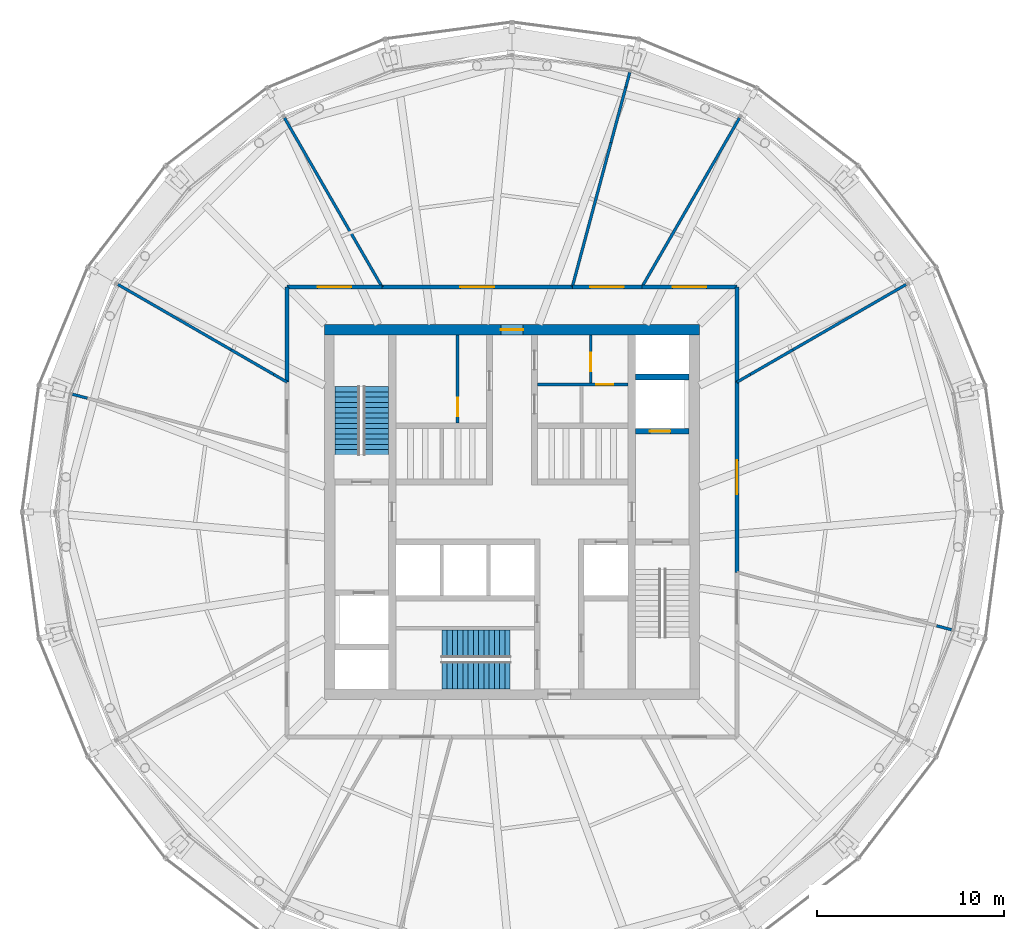
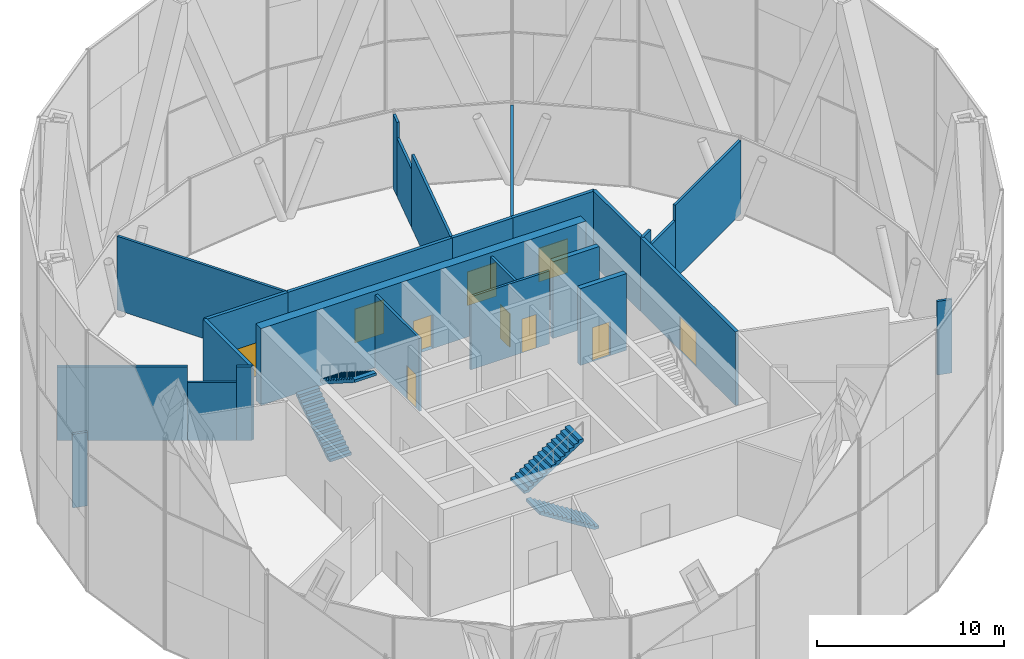
# One storey, part 15 of 17: 26 walls, 10 doors, 4 stair flights, 10 openings, 2 elements without a shape of their own.
"""IFC4 building model written with IfcOpenShell, lengths in metres."""

from ifc_helpers import new_model, si_unit, direction, frame, frame_2d, origin, place, context, subcontext, project, spatial, polyline, rectangle, outline, extrude, material, layer, layer_set, type_object, element, fill, aggregate, save


model = new_model("IFC4")

# Units and contexts
model_context = context("Model", 3, precision=1e-05, world=origin(), true_north=direction((0.0, 1.0)))
body_context = subcontext(model_context, "Body", "Model", "MODEL_VIEW")
ifc_project = project(units=[si_unit("LENGTHUNIT", "METRE"), si_unit("AREAUNIT", "SQUARE_METRE"), si_unit("VOLUMEUNIT", "CUBIC_METRE"), si_unit("PLANEANGLEUNIT", "RADIAN"), si_unit("MASSUNIT", "GRAM", prefix="KILO")], contexts=[model_context])

# Site, building, storey
site_placement = place(None, origin())
site = spatial("IfcSite", under=ifc_project, at=site_placement, CompositionType="ELEMENT")
building_placement = place(site_placement, origin())
building = spatial("IfcBuilding", under=site, at=building_placement, Name="Golbaran Civic Tower", CompositionType="ELEMENT")
storey_placement = place(building_placement, frame((0.0, 0.0, 150.0)))
storey = spatial("IfcBuildingStorey", under=building, at=storey_placement, Name="L36", CompositionType="ELEMENT", Elevation=150.0)

# Wall, opening, door
ifc_material_1 = material(Name="Concrete block", Category="concrete")
ifc_layer_1 = layer(ifc_material_1, 0.14990234375, Name="Concrete block")
ifc_layer_set_1 = layer_set([ifc_layer_1], Name="Concrete block")
wall_type_1 = type_object("IfcWallType", Name="BLOCKWORK PARTITION 150", PredefinedType="PARTITIONING", material=ifc_layer_set_1)
wall_1_placement = place(storey_placement, frame((1.35009765625, 6.800048828125, 0.0), z_axis=(0.0, 0.0, 1.0), x_axis=(1.0, 0.0, 0.0)))
wall_1 = element("IfcWall", 1, at=wall_1_placement, inside=storey, type_object=wall_type_1, Name="Toilet block partition TN1 L36", PredefinedType="PARTITIONING", context=body_context, shape_type="SweptSolid", body=[
    extrude(rectangle(XDim=4.849853515625, YDim=0.14990234375, at=frame_2d((2.4248046875, 0.0))), origin(), (0.0, 0.0, 1.0), 4.75),
])
opening_1_placement = place(wall_1_placement, frame((3.14990234375, 0.0, 0.0)))
opening_1 = element("IfcOpeningElement", 2, at=opening_1_placement, cuts=wall_1, Name="Opening L36.CLN", PredefinedType="OPENING", context=body_context, shape_type="SweptSolid", body=[
    extrude(rectangle(XDim=0.89990234375, YDim=2.199951171875, at=frame_2d((0.449951171875, 1.10009765625))), frame((0.0, 0.0849609375, 0.0), z_axis=(0.0, -1.0, 0.0), x_axis=(1.0, 0.0, 0.0)), (0.0, 0.0, 1.0), 0.169921875),
])
ifc_material_2 = material(Name="Timber door set in steel frame", Category="steel")
door_type_1 = type_object("IfcDoorType", Name="RISER DOOR 900x2200", OperationType="SINGLE_SWING_LEFT", PredefinedType="DOOR", material=ifc_material_2)
door_1_placement = place(opening_1_placement, origin())
door_1 = element("IfcDoor", 3, at=door_1_placement, inside=storey, type_object=door_type_1, Name="Sanitary Supplies Store door", OperationType="SINGLE_SWING_RIGHT", OverallHeight=2.199951171875, OverallWidth=0.89990234375, PredefinedType="DOOR", context=body_context, shape_type="SweptSolid", body=[
    extrude(rectangle(XDim=0.89990234375, YDim=2.199951171875, at=frame_2d((0.449951171875, 1.10009765625))), frame((0.0, 0.02490234375, 0.0), z_axis=(0.0, -1.0, 0.0), x_axis=(1.0, 0.0, 0.0)), (0.0, 0.0, 1.0), 0.050048828125),
])
fill(opening_1, door_1)

ifc_material_3 = material(Name="Concrete C50/60", Category="concrete")
ifc_layer_2 = layer(ifc_material_3, 0.550048828125, Name="Concrete C50/60")
ifc_layer_set_2 = layer_set([ifc_layer_2], Name="Concrete C50/60")
wall_type_2 = type_object("IfcWallType", Name="CORE WALL CONCRETE 550", PredefinedType="SOLIDWALL", material=ifc_layer_set_2)
wall_2_placement = place(storey_placement, frame((-10.0, 9.72509765625, 0.0), z_axis=(0.0, 0.0, 1.0), x_axis=(1.0, 0.0, 0.0)))
wall_2 = element("IfcWall", 4, at=wall_2_placement, inside=storey, type_object=wall_type_2, Name="Core wall CN L36", PredefinedType="SOLIDWALL", context=body_context, shape_type="SweptSolid", body=[
    extrude(rectangle(XDim=20.0, YDim=0.550048828125, at=frame_2d((10.0, 0.0))), origin(), (0.0, 0.0, 1.0), 5.0),
])
opening_2_placement = place(wall_2_placement, frame((9.39990234375, 0.0, 0.0)))
opening_2 = element("IfcOpeningElement", 5, at=opening_2_placement, cuts=wall_2, Name="Opening L36.CN", PredefinedType="OPENING", context=body_context, shape_type="SweptSolid", body=[
    extrude(rectangle(XDim=1.199951171875, YDim=2.199951171875, at=frame_2d((0.60009765625, 1.10009765625))), frame((0.0, 0.284912109375, 0.0), z_axis=(0.0, -1.0, 0.0), x_axis=(1.0, 0.0, 0.0)), (0.0, 0.0, 1.0), 0.570068359375),
])
door_type_2 = type_object("IfcDoorType", Name="CORE DOOR 1200x2200", OperationType="DOUBLE_DOOR_SINGLE_SWING", PredefinedType="DOOR", material=ifc_material_2)
door_2_placement = place(opening_2_placement, origin())
door_2 = element("IfcDoor", 6, at=door_2_placement, inside=storey, type_object=door_type_2, Name="Core door north", OperationType="DOUBLE_DOOR_SINGLE_SWING", OverallHeight=2.199951171875, OverallWidth=1.199951171875, PredefinedType="DOOR", context=body_context, shape_type="SweptSolid", body=[
    extrude(rectangle(XDim=1.199951171875, YDim=2.199951171875, at=frame_2d((0.60009765625, 1.10009765625))), frame((0.0, 0.02490234375, 0.0), z_axis=(0.0, -1.0, 0.0), x_axis=(1.0, 0.0, 0.0)), (0.0, 0.0, 1.0), 0.050048828125),
])
fill(opening_2, door_2)

ifc_material_4 = material(Name="Gypsum board on steel studs, fire-rated", Category="steel")
ifc_layer_3 = layer(ifc_material_4, 0.199951171875, Name="Gypsum board on steel studs, fire-rated")
ifc_layer_set_3 = layer_set([ifc_layer_3], Name="Gypsum board on steel studs, fire-rated")
wall_type_3 = type_object("IfcWallType", Name="CORRIDOR WALL 200", PredefinedType="PARTITIONING", material=ifc_layer_set_3)
wall_3_placement = place(storey_placement, frame((12.0, -3.21533203125, 0.0), z_axis=(0.0, 0.0, 1.0), x_axis=(0.0, 1.0, 0.0)))
wall_3 = element("IfcWall", 7, at=wall_3_placement, inside=storey, type_object=wall_type_3, Name="Corridor wall L36", PredefinedType="PARTITIONING", context=body_context, shape_type="SweptSolid", body=[
    extrude(rectangle(XDim=10.1435546875, YDim=0.199951171875, at=frame_2d((5.07177734375, 0.0))), origin(), (0.0, 0.0, 1.0), 4.800048828125),
])
opening_3_placement = place(wall_3_placement, frame((4.171875, 0.0, 0.0)))
opening_3 = element("IfcOpeningElement", 8, at=opening_3_placement, cuts=wall_3, Name="Opening L36.03", PredefinedType="OPENING", context=body_context, shape_type="SweptSolid", body=[
    extrude(rectangle(XDim=1.800048828125, YDim=2.199951171875, at=frame_2d((0.89990234375, 1.10009765625))), frame((0.0, 0.10986328125, 0.0), z_axis=(0.0, -1.0, 0.0), x_axis=(1.0, 0.0, 0.0)), (0.0, 0.0, 1.0), 0.219970703125),
])
door_type_3 = type_object("IfcDoorType", Name="OFFICE DOUBLE DOOR 1800x2200", OperationType="DOUBLE_DOOR_SINGLE_SWING", PredefinedType="DOOR", material=ifc_material_2)
door_3_placement = place(opening_3_placement, origin())
door_3 = element("IfcDoor", 9, at=door_3_placement, inside=storey, type_object=door_type_3, Name="Air Handling Plant Room door L36", OperationType="DOUBLE_DOOR_SINGLE_SWING", OverallHeight=2.199951171875, OverallWidth=1.800048828125, PredefinedType="DOOR", context=body_context, shape_type="SweptSolid", body=[
    extrude(rectangle(XDim=1.800048828125, YDim=2.199951171875, at=frame_2d((0.89990234375, 1.10009765625))), frame((0.0, 0.02490234375, 0.0), z_axis=(0.0, -1.0, 0.0), x_axis=(1.0, 0.0, 0.0)), (0.0, 0.0, 1.0), 0.050048828125),
])
fill(opening_3, door_3)

# Wall
wall_4_placement = place(storey_placement, frame((12.0, 6.92822265625, 0.0), z_axis=(0.0, 0.0, 1.0), x_axis=(0.0, 1.0, 0.0)))
element("IfcWall", 10, at=wall_4_placement, inside=storey, type_object=wall_type_3, Name="Corridor wall L36", PredefinedType="PARTITIONING", context=body_context, shape_type="SweptSolid", body=[
    extrude(rectangle(XDim=5.07177734375, YDim=0.199951171875, at=frame_2d((2.535888671875, 0.0))), origin(), (0.0, 0.0, 1.0), 4.800048828125),
])

# Wall, opening, door
wall_5_placement = place(storey_placement, frame((12.0, 12.0, 0.0), z_axis=(0.0, 0.0, 1.0), x_axis=(-1.0, 0.0, 0.0)))
wall_5 = element("IfcWall", 11, at=wall_5_placement, inside=storey, type_object=wall_type_3, Name="Corridor wall L36", PredefinedType="PARTITIONING", context=body_context, shape_type="SweptSolid", body=[
    extrude(rectangle(XDim=5.07177734375, YDim=0.199951171875, at=frame_2d((2.535888671875, 0.0))), origin(), (0.0, 0.0, 1.0), 4.800048828125),
])
opening_4_placement = place(wall_5_placement, frame((1.635986328125, 0.0, 0.0)))
opening_4 = element("IfcOpeningElement", 12, at=opening_4_placement, cuts=wall_5, Name="Opening L36.04", PredefinedType="OPENING", context=body_context, shape_type="SweptSolid", body=[
    extrude(rectangle(XDim=1.800048828125, YDim=2.199951171875, at=frame_2d((0.89990234375, 1.10009765625))), frame((0.0, 0.10986328125, 0.0), z_axis=(0.0, -1.0, 0.0), x_axis=(1.0, 0.0, 0.0)), (0.0, 0.0, 1.0), 0.219970703125),
])
door_4_placement = place(opening_4_placement, origin())
door_4 = element("IfcDoor", 13, at=door_4_placement, inside=storey, type_object=door_type_3, Name="Water Tank Room door L36", OperationType="DOUBLE_DOOR_SINGLE_SWING", OverallHeight=2.199951171875, OverallWidth=1.800048828125, PredefinedType="DOOR", context=body_context, shape_type="SweptSolid", body=[
    extrude(rectangle(XDim=1.800048828125, YDim=2.199951171875, at=frame_2d((0.89990234375, 1.10009765625))), frame((0.0, 0.02490234375, 0.0), z_axis=(0.0, -1.0, 0.0), x_axis=(1.0, 0.0, 0.0)), (0.0, 0.0, 1.0), 0.050048828125),
])
fill(opening_4, door_4)

wall_6_placement = place(storey_placement, frame((6.92822265625, 12.0, 0.0), z_axis=(0.0, 0.0, 1.0), x_axis=(-1.0, 0.0, 0.0)))
wall_6 = element("IfcWall", 14, at=wall_6_placement, inside=storey, type_object=wall_type_3, Name="Corridor wall L36", PredefinedType="PARTITIONING", context=body_context, shape_type="SweptSolid", body=[
    extrude(rectangle(XDim=3.712890625, YDim=0.199951171875, at=frame_2d((1.8564453125, 0.0))), origin(), (0.0, 0.0, 1.0), 4.800048828125),
])
opening_5_placement = place(wall_6_placement, frame((0.956298828125, 0.0, 0.0)))
opening_5 = element("IfcOpeningElement", 15, at=opening_5_placement, cuts=wall_6, Name="Opening L36.05", PredefinedType="OPENING", context=body_context, shape_type="SweptSolid", body=[
    extrude(rectangle(XDim=1.800048828125, YDim=2.199951171875, at=frame_2d((0.89990234375, 1.10009765625))), frame((0.0, 0.10986328125, 0.0), z_axis=(0.0, -1.0, 0.0), x_axis=(1.0, 0.0, 0.0)), (0.0, 0.0, 1.0), 0.219970703125),
])
door_5_placement = place(opening_5_placement, origin())
door_5 = element("IfcDoor", 16, at=door_5_placement, inside=storey, type_object=door_type_3, Name="Chiller Plant Room door L36", OperationType="DOUBLE_DOOR_SINGLE_SWING", OverallHeight=2.199951171875, OverallWidth=1.800048828125, PredefinedType="DOOR", context=body_context, shape_type="SweptSolid", body=[
    extrude(rectangle(XDim=1.800048828125, YDim=2.199951171875, at=frame_2d((0.89990234375, 1.10009765625))), frame((0.0, 0.02490234375, 0.0), z_axis=(0.0, -1.0, 0.0), x_axis=(1.0, 0.0, 0.0)), (0.0, 0.0, 1.0), 0.050048828125),
])
fill(opening_5, door_5)

wall_7_placement = place(storey_placement, frame((3.21533203125, 12.0, 0.0), z_axis=(0.0, 0.0, 1.0), x_axis=(-1.0, 0.0, 0.0)))
wall_7 = element("IfcWall", 17, at=wall_7_placement, inside=storey, type_object=wall_type_3, Name="Corridor wall L36", PredefinedType="PARTITIONING", context=body_context, shape_type="SweptSolid", body=[
    extrude(rectangle(XDim=10.1435546875, YDim=0.199951171875, at=frame_2d((5.07177734375, 0.0))), origin(), (0.0, 0.0, 1.0), 4.800048828125),
])
opening_6_placement = place(wall_7_placement, frame((4.171875, 0.0, 0.0)))
opening_6 = element("IfcOpeningElement", 18, at=opening_6_placement, cuts=wall_7, Name="Opening L36.06", PredefinedType="OPENING", context=body_context, shape_type="SweptSolid", body=[
    extrude(rectangle(XDim=1.800048828125, YDim=2.199951171875, at=frame_2d((0.89990234375, 1.10009765625))), frame((0.0, 0.10986328125, 0.0), z_axis=(0.0, -1.0, 0.0), x_axis=(1.0, 0.0, 0.0)), (0.0, 0.0, 1.0), 0.219970703125),
])
door_6_placement = place(opening_6_placement, origin())
door_6 = element("IfcDoor", 19, at=door_6_placement, inside=storey, type_object=door_type_3, Name="Refuge Area door L36", OperationType="DOUBLE_DOOR_SINGLE_SWING", OverallHeight=2.199951171875, OverallWidth=1.800048828125, PredefinedType="DOOR", context=body_context, shape_type="SweptSolid", body=[
    extrude(rectangle(XDim=1.800048828125, YDim=2.199951171875, at=frame_2d((0.89990234375, 1.10009765625))), frame((0.0, 0.02490234375, 0.0), z_axis=(0.0, -1.0, 0.0), x_axis=(1.0, 0.0, 0.0)), (0.0, 0.0, 1.0), 0.050048828125),
])
fill(opening_6, door_6)

wall_8_placement = place(storey_placement, frame((-6.92822265625, 12.0, 0.0), z_axis=(0.0, 0.0, 1.0), x_axis=(-1.0, 0.0, 0.0)))
wall_8 = element("IfcWall", 20, at=wall_8_placement, inside=storey, type_object=wall_type_3, Name="Corridor wall L36", PredefinedType="PARTITIONING", context=body_context, shape_type="SweptSolid", body=[
    extrude(rectangle(XDim=5.07177734375, YDim=0.199951171875, at=frame_2d((2.535888671875, 0.0))), origin(), (0.0, 0.0, 1.0), 4.800048828125),
])
opening_7_placement = place(wall_8_placement, frame((1.635986328125, 0.0, 0.0)))
opening_7 = element("IfcOpeningElement", 21, at=opening_7_placement, cuts=wall_8, Name="Opening L36.07", PredefinedType="OPENING", context=body_context, shape_type="SweptSolid", body=[
    extrude(rectangle(XDim=1.800048828125, YDim=2.199951171875, at=frame_2d((0.89990234375, 1.10009765625))), frame((0.0, 0.10986328125, 0.0), z_axis=(0.0, -1.0, 0.0), x_axis=(1.0, 0.0, 0.0)), (0.0, 0.0, 1.0), 0.219970703125),
])
door_7_placement = place(opening_7_placement, origin())
door_7 = element("IfcDoor", 22, at=door_7_placement, inside=storey, type_object=door_type_3, Name="Pump Room door L36", OperationType="DOUBLE_DOOR_SINGLE_SWING", OverallHeight=2.199951171875, OverallWidth=1.800048828125, PredefinedType="DOOR", context=body_context, shape_type="SweptSolid", body=[
    extrude(rectangle(XDim=1.800048828125, YDim=2.199951171875, at=frame_2d((0.89990234375, 1.10009765625))), frame((0.0, 0.02490234375, 0.0), z_axis=(0.0, -1.0, 0.0), x_axis=(1.0, 0.0, 0.0)), (0.0, 0.0, 1.0), 0.050048828125),
])
fill(opening_7, door_7)

# Walls
wall_9_placement = place(storey_placement, frame((-12.0, 12.0, 0.0), z_axis=(0.0, 0.0, 1.0), x_axis=(0.0, -1.0, 0.0)))
element("IfcWall", 23, at=wall_9_placement, inside=storey, type_object=wall_type_3, Name="Corridor wall L36", PredefinedType="PARTITIONING", context=body_context, shape_type="SweptSolid", body=[
    extrude(rectangle(XDim=5.07177734375, YDim=0.199951171875, at=frame_2d((2.535888671875, 0.0))), origin(), (0.0, 0.0, 1.0), 4.800048828125),
])
ifc_material_5 = material(Name="Gypsum board on steel studs", Category="steel")
ifc_layer_4 = layer(ifc_material_5, 0.14990234375, Name="Gypsum board on steel studs")
ifc_layer_set_4 = layer_set([ifc_layer_4], Name="Gypsum board on steel studs")
wall_type_4 = type_object("IfcWallType", Name="OFFICE PARTITION 150", PredefinedType="PARTITIONING", material=ifc_layer_set_4)
wall_10_placement = place(storey_placement, frame((22.65380859375, -6.070068359375, 0.0), z_axis=(0.0, 0.0, 1.0), x_axis=(0.96592035307, -0.258839470569, 0.0)))
element("IfcWall", 24, at=wall_10_placement, inside=storey, type_object=wall_type_4, Name="Partition 345 L36 (part 3)", PredefinedType="PARTITIONING", context=body_context, shape_type="SweptSolid", body=[
    extrude(rectangle(XDim=0.826171875, YDim=0.14990234375, at=frame_2d((0.4130859375, 0.0))), origin(), (0.0, 0.0, 1.0), 4.800048828125),
])
wall_11_placement = place(storey_placement, frame((12.0, 6.92822265625, 0.0), z_axis=(0.0, 0.0, 1.0), x_axis=(0.86608282171, 0.499900536046, 0.0)))
element("IfcWall", 25, at=wall_11_placement, inside=storey, type_object=wall_type_4, Name="Partition 30 L36", PredefinedType="PARTITIONING", context=body_context, shape_type="SweptSolid", body=[
    extrude(rectangle(XDim=0.830810546875, YDim=0.14990234375, at=frame_2d((0.41552734375, 0.0))), origin(), (0.0, 0.0, 1.0), 4.800048828125),
])
wall_12_placement = place(storey_placement, frame((12.719482421875, 7.343505859375, 0.0), z_axis=(0.0, 0.0, 1.0), x_axis=(0.866002361659, 0.500039908008, 0.0)))
element("IfcWall", 26, at=wall_12_placement, inside=storey, type_object=wall_type_4, Name="Partition 30 L36 (part 2)", PredefinedType="PARTITIONING", context=body_context, shape_type="SweptSolid", body=[
    extrude(rectangle(XDim=2.618408203125, YDim=0.14990234375, at=frame_2d((1.30908203125, 0.0))), origin(), (0.0, 0.0, 1.0), 3.7900390625),
])
wall_13_placement = place(storey_placement, frame((14.987060546875, 8.65283203125, 0.0), z_axis=(0.0, 0.0, 1.0), x_axis=(0.86602409414, 0.500002268364, 0.0)))
element("IfcWall", 27, at=wall_13_placement, inside=storey, type_object=wall_type_4, Name="Partition 30 L36 (part 3)", PredefinedType="PARTITIONING", context=body_context, shape_type="SweptSolid", body=[
    extrude(rectangle(XDim=6.9736328125, YDim=0.14990234375, at=frame_2d((3.48681640625, 0.0))), origin(), (0.0, 0.0, 1.0), 4.800048828125),
])
wall_14_placement = place(storey_placement, frame((6.92822265625, 12.0, 0.0), z_axis=(0.0, 0.0, 1.0), x_axis=(0.500003616288, 0.866023315909, 0.0)))
element("IfcWall", 28, at=wall_14_placement, inside=storey, type_object=wall_type_4, Name="Partition 60 L36", PredefinedType="PARTITIONING", context=body_context, shape_type="SweptSolid", body=[
    extrude(rectangle(XDim=10.4228515625, YDim=0.14990234375, at=frame_2d((5.21142578125, 0.0))), origin(), (0.0, 0.0, 1.0), 4.800048828125),
])
wall_15_placement = place(storey_placement, frame((3.21533203125, 12.0, 0.0), z_axis=(0.0, 0.0, 1.0), x_axis=(0.258826894995, 0.965923722882, 0.0)))
element("IfcWall", 29, at=wall_15_placement, inside=storey, type_object=wall_type_4, Name="Partition 75 L36", PredefinedType="PARTITIONING", context=body_context, shape_type="SweptSolid", body=[
    extrude(rectangle(XDim=7.973388671875, YDim=0.14990234375, at=frame_2d((3.98681640625, 0.0))), origin(), (0.0, 0.0, 1.0), 4.800048828125),
])
wall_16_placement = place(storey_placement, frame((5.279052734375, 19.70166015625, 0.0), z_axis=(0.0, 0.0, 1.0), x_axis=(0.258819472716, 0.96592571171, 0.0)))
element("IfcWall", 30, at=wall_16_placement, inside=storey, type_object=wall_type_4, Name="Partition 75 L36 (part 2)", PredefinedType="PARTITIONING", context=body_context, shape_type="SweptSolid", body=[
    extrude(rectangle(XDim=3.0732421875, YDim=0.14990234375, at=frame_2d((1.53662109375, 0.0))), origin(), (0.0, 0.0, 1.0), 3.7900390625),
])
wall_17_placement = place(storey_placement, frame((6.074462890625, 22.670166015625, 0.0), z_axis=(0.0, 0.0, 1.0), x_axis=(0.258826555959, 0.96592381373, 0.0)))
element("IfcWall", 31, at=wall_17_placement, inside=storey, type_object=wall_type_4, Name="Partition 75 L36 (part 3)", PredefinedType="PARTITIONING", context=body_context, shape_type="SweptSolid", body=[
    extrude(rectangle(XDim=0.809326171875, YDim=0.14990234375, at=frame_2d((0.40478515625, 0.0))), origin(), (0.0, 0.0, 1.0), 4.800048828125),
])
wall_18_placement = place(storey_placement, frame((-6.92822265625, 12.0, 0.0), z_axis=(0.0, 0.0, 1.0), x_axis=(-0.500003616288, 0.866023315909, 0.0)))
element("IfcWall", 32, at=wall_18_placement, inside=storey, type_object=wall_type_4, Name="Partition 120 L36", PredefinedType="PARTITIONING", context=body_context, shape_type="SweptSolid", body=[
    extrude(rectangle(XDim=10.4228515625, YDim=0.14990234375, at=frame_2d((5.21142578125, 0.0))), origin(), (0.0, 0.0, 1.0), 4.800048828125),
])
wall_19_placement = place(storey_placement, frame((-12.0, 6.92822265625, 0.0), z_axis=(0.0, 0.0, 1.0), x_axis=(-0.86608282171, 0.499900536046, 0.0)))
element("IfcWall", 33, at=wall_19_placement, inside=storey, type_object=wall_type_4, Name="Partition 150 L36", PredefinedType="PARTITIONING", context=body_context, shape_type="SweptSolid", body=[
    extrude(rectangle(XDim=0.830810546875, YDim=0.14990234375, at=frame_2d((0.41552734375, 0.0))), origin(), (0.0, 0.0, 1.0), 4.800048828125),
])
wall_20_placement = place(storey_placement, frame((-12.719482421875, 7.343505859375, 0.0), z_axis=(0.0, 0.0, 1.0), x_axis=(-0.866002361659, 0.500039908008, 0.0)))
element("IfcWall", 34, at=wall_20_placement, inside=storey, type_object=wall_type_4, Name="Partition 150 L36 (part 2)", PredefinedType="PARTITIONING", context=body_context, shape_type="SweptSolid", body=[
    extrude(rectangle(XDim=2.618408203125, YDim=0.14990234375, at=frame_2d((1.30908203125, 0.0))), origin(), (0.0, 0.0, 1.0), 3.7900390625),
])
wall_21_placement = place(storey_placement, frame((-14.987060546875, 8.65283203125, 0.0), z_axis=(0.0, 0.0, 1.0), x_axis=(-0.86602409414, 0.500002268364, 0.0)))
element("IfcWall", 35, at=wall_21_placement, inside=storey, type_object=wall_type_4, Name="Partition 150 L36 (part 3)", PredefinedType="PARTITIONING", context=body_context, shape_type="SweptSolid", body=[
    extrude(rectangle(XDim=6.9736328125, YDim=0.14990234375, at=frame_2d((3.48681640625, 0.0))), origin(), (0.0, 0.0, 1.0), 4.800048828125),
])
wall_22_placement = place(storey_placement, frame((-22.65380859375, 6.070068359375, 0.0), z_axis=(0.0, 0.0, 1.0), x_axis=(-0.96592035307, 0.258839470569, 0.0)))
element("IfcWall", 36, at=wall_22_placement, inside=storey, type_object=wall_type_4, Name="Partition 165 L36 (part 3)", PredefinedType="PARTITIONING", context=body_context, shape_type="SweptSolid", body=[
    extrude(rectangle(XDim=0.826171875, YDim=0.14990234375, at=frame_2d((0.4130859375, 0.0))), origin(), (0.0, 0.0, 1.0), 4.800048828125),
])

# Wall, opening, door
ifc_layer_5 = layer(ifc_material_3, 0.300048828125, Name="Concrete C50/60")
ifc_layer_set_5 = layer_set([ifc_layer_5], Name="Concrete C50/60")
wall_type_5 = type_object("IfcWallType", Name="SHAFT WALL CONCRETE 300", PredefinedType="SOLIDWALL", material=ifc_layer_set_5)
wall_23_placement = place(storey_placement, frame((6.60009765625, 4.300048828125, 0.0), z_axis=(0.0, 0.0, 1.0), x_axis=(1.0, 0.0, 0.0)))
wall_23 = element("IfcWall", 37, at=wall_23_placement, inside=storey, type_object=wall_type_5, Name="Core wall XE2 L36", PredefinedType="SOLIDWALL", context=body_context, shape_type="SweptSolid", body=[
    extrude(rectangle(XDim=2.849853515625, YDim=0.300048828125, at=frame_2d((1.4248046875, 0.0))), origin(), (0.0, 0.0, 1.0), 5.0),
])
opening_8_placement = place(wall_23_placement, frame((0.75, 0.0, 0.0)))
opening_8 = element("IfcOpeningElement", 38, at=opening_8_placement, cuts=wall_23, Name="Opening L36.LD-F2", PredefinedType="OPENING", context=body_context, shape_type="SweptSolid", body=[
    extrude(rectangle(XDim=1.10009765625, YDim=2.199951171875, at=frame_2d((0.550048828125, 1.10009765625))), frame((0.0, 0.159912109375, 0.0), z_axis=(0.0, -1.0, 0.0), x_axis=(1.0, 0.0, 0.0)), (0.0, 0.0, 1.0), 0.320068359375),
])
ifc_material_6 = material(Name="Stainless steel", Category="steel")
door_type_4 = type_object("IfcDoorType", Name="LIFT LANDING DOOR 1100x2200", OperationType="SLIDING_TO_LEFT", PredefinedType="DOOR", material=ifc_material_6)
door_8_placement = place(opening_8_placement, origin())
door_8 = element("IfcDoor", 39, at=door_8_placement, inside=storey, type_object=door_type_4, Name="Lift landing door F2", OperationType="SLIDING_TO_LEFT", OverallHeight=2.199951171875, OverallWidth=1.10009765625, PredefinedType="DOOR", context=body_context, shape_type="SweptSolid", body=[
    extrude(rectangle(XDim=1.10009765625, YDim=2.199951171875, at=frame_2d((0.550048828125, 1.10009765625))), frame((0.0, 0.02490234375, 0.0), z_axis=(0.0, -1.0, 0.0), x_axis=(1.0, 0.0, 0.0)), (0.0, 0.0, 1.0), 0.050048828125),
])
fill(opening_8, door_8)

# Wall
wall_24_placement = place(storey_placement, frame((6.60009765625, 7.199951171875, 0.0), z_axis=(0.0, 0.0, 1.0), x_axis=(1.0, 0.0, 0.0)))
element("IfcWall", 40, at=wall_24_placement, inside=storey, type_object=wall_type_5, Name="Core wall XE3 L36", PredefinedType="SOLIDWALL", context=body_context, shape_type="SweptSolid", body=[
    extrude(rectangle(XDim=2.849853515625, YDim=0.300048828125, at=frame_2d((1.4248046875, 0.0))), origin(), (0.0, 0.0, 1.0), 5.0),
])

# Wall, opening, door
ifc_material_7 = material(Name="Moisture-resistant gypsum board on steel studs", Category="steel")
ifc_layer_6 = layer(ifc_material_7, 0.14990234375, Name="Moisture-resistant gypsum board on steel studs")
ifc_layer_set_6 = layer_set([ifc_layer_6], Name="Moisture-resistant gypsum board on steel studs")
wall_type_6 = type_object("IfcWallType", Name="TOILET BLOCK PARTITION 150", PredefinedType="PARTITIONING", material=ifc_layer_set_6)
wall_25_placement = place(storey_placement, frame((4.199951171875, 6.875, 0.0), z_axis=(0.0, 0.0, 1.0), x_axis=(0.0, 1.0, 0.0)))
wall_25 = element("IfcWall", 41, at=wall_25_placement, inside=storey, type_object=wall_type_6, Name="Toilet block partition TN3 L36", PredefinedType="PARTITIONING", context=body_context, shape_type="SweptSolid", body=[
    extrude(rectangle(XDim=2.574951171875, YDim=0.14990234375, at=frame_2d((1.28759765625, 0.0))), origin(), (0.0, 0.0, 1.0), 4.75),
])
opening_9_placement = place(wall_25_placement, frame((0.625, 0.0, 0.0)))
opening_9 = element("IfcOpeningElement", 42, at=opening_9_placement, cuts=wall_25, Name="Opening L36.01", PredefinedType="OPENING", context=body_context, shape_type="SweptSolid", body=[
    extrude(rectangle(XDim=1.0, YDim=2.199951171875, at=frame_2d((0.5, 1.10009765625))), frame((0.0, 0.0849609375, 0.0), z_axis=(0.0, -1.0, 0.0), x_axis=(1.0, 0.0, 0.0)), (0.0, 0.0, 1.0), 0.169921875),
])
door_type_5 = type_object("IfcDoorType", Name="TOILET DOOR 1000x2200", OperationType="SINGLE_SWING_LEFT", PredefinedType="DOOR", material=ifc_material_2)
door_9_placement = place(opening_9_placement, origin())
door_9 = element("IfcDoor", 43, at=door_9_placement, inside=storey, type_object=door_type_5, Name="Parents' room door", OperationType="SINGLE_SWING_LEFT", OverallHeight=2.199951171875, OverallWidth=1.0, PredefinedType="DOOR", context=body_context, shape_type="SweptSolid", body=[
    extrude(rectangle(XDim=1.0, YDim=2.199951171875, at=frame_2d((0.5, 1.10009765625))), frame((0.0, 0.02490234375, 0.0), z_axis=(0.0, -1.0, 0.0), x_axis=(1.0, 0.0, 0.0)), (0.0, 0.0, 1.0), 0.050048828125),
])
fill(opening_9, door_9)

wall_26_placement = place(storey_placement, frame((-2.89990234375, 4.75, 0.0), z_axis=(0.0, 0.0, 1.0), x_axis=(0.0, 1.0, 0.0)))
wall_26 = element("IfcWall", 44, at=wall_26_placement, inside=storey, type_object=wall_type_6, Name="Toilet block partition MWL L36", PredefinedType="PARTITIONING", context=body_context, shape_type="SweptSolid", body=[
    extrude(rectangle(XDim=4.699951171875, YDim=0.14990234375, at=frame_2d((2.35009765625, 0.0))), origin(), (0.0, 0.0, 1.0), 4.75),
])
opening_10_placement = place(wall_26_placement, frame((0.35009765625, 0.0, 0.0)))
opening_10 = element("IfcOpeningElement", 45, at=opening_10_placement, cuts=wall_26, Name="Opening L36.14", PredefinedType="OPENING", context=body_context, shape_type="SweptSolid", body=[
    extrude(rectangle(XDim=1.0, YDim=2.199951171875, at=frame_2d((0.5, 1.10009765625))), frame((0.0, 0.0849609375, 0.0), z_axis=(0.0, -1.0, 0.0), x_axis=(1.0, 0.0, 0.0)), (0.0, 0.0, 1.0), 0.169921875),
])
door_10_placement = place(opening_10_placement, origin())
door_10 = element("IfcDoor", 46, at=door_10_placement, inside=storey, type_object=door_type_5, Name="Male WC door", OperationType="SINGLE_SWING_LEFT", OverallHeight=2.199951171875, OverallWidth=1.0, PredefinedType="DOOR", context=body_context, shape_type="SweptSolid", body=[
    extrude(rectangle(XDim=1.0, YDim=2.199951171875, at=frame_2d((0.5, 1.10009765625))), frame((0.0, 0.02490234375, 0.0), z_axis=(0.0, -1.0, 0.0), x_axis=(1.0, 0.0, 0.0)), (0.0, 0.0, 1.0), 0.050048828125),
])
fill(opening_10, door_10)

# Stair, stair flights
ifc_material_8 = material(Name="Concrete C35/45", Category="concrete")
stair_type_1 = type_object("IfcStairType", Name="EXIT STAIR 2850 x 7700, 5000 RISE", PredefinedType="HALF_TURN_STAIR", material=ifc_material_8)
stair_1_placement = place(storey_placement, origin())
stair_1 = element("IfcStair", 47, at=stair_1_placement, inside=storey, type_object=stair_type_1, Name="Stair S1 L36", PredefinedType="HALF_TURN_STAIR")
stair_flight_type_1 = type_object("IfcStairFlightType", Name="STAIR FLIGHT 1325 WIDE", PredefinedType="STRAIGHT", material=ifc_material_8)
stair_flight_1_placement = place(storey_placement, frame((-8.78759765625, 3.050048828125, 0.0), z_axis=(0.0, 0.0, 1.0), x_axis=(0.0, 1.0, 0.0)))
stair_flight_1 = element("IfcStairFlight", 48, at=stair_flight_1_placement, type_object=stair_flight_type_1, Name="ST28577-50 flight 1", NumberOfRisers=14, NumberOfTreads=13, PredefinedType="STRAIGHT", RiserHeight=0.178571429, TreadLength=0.28, context=body_context, shape_type="SweptSolid", body=[
    extrude(outline(polyline([(0.0, 0.0), (0.0, 0.178466796875), (0.280029296875, 0.178466796875), (0.280029296875, 0.357177734375), (0.56005859375, 0.357177734375), (0.56005859375, 0.53564453125), (0.840087890625, 0.53564453125), (0.840087890625, 0.71435546875), (1.1201171875, 0.71435546875), (1.1201171875, 0.892822265625), (1.39990234375, 0.892822265625), (1.39990234375, 1.071533203125), (1.679931640625, 1.071533203125), (1.679931640625, 1.25), (1.9599609375, 1.25), (1.9599609375, 1.428466796875), (2.239990234375, 1.428466796875), (2.239990234375, 1.607177734375), (2.52001953125, 1.607177734375), (2.52001953125, 1.78564453125), (2.800048828125, 1.78564453125), (2.800048828125, 1.96435546875), (3.080078125, 1.96435546875), (3.080078125, 2.142822265625), (3.360107421875, 2.142822265625), (3.360107421875, 2.321533203125), (3.639892578125, 2.321533203125), (3.639892578125, 2.5), (3.639892578125, 2.1435546875), (0.27880859375, 0.0), (0.0, 0.0)])), frame((0.0, 0.66259765625, 0.0), z_axis=(0.0, -1.0, 0.0), x_axis=(1.0, 0.0, 0.0)), (0.0, 0.0, 1.0), 1.324951171875),
])
stair_flight_2_placement = place(storey_placement, frame((-7.262451171875, 6.68994140625, 2.5), z_axis=(0.0, 0.0, 1.0), x_axis=(0.0, -1.0, 0.0)))
stair_flight_2 = element("IfcStairFlight", 49, at=stair_flight_2_placement, type_object=stair_flight_type_1, Name="ST28577-50 flight 2", NumberOfRisers=14, NumberOfTreads=13, PredefinedType="STRAIGHT", RiserHeight=0.178571429, TreadLength=0.28, context=body_context, shape_type="SweptSolid", body=[
    extrude(outline(polyline([(0.0, 0.0), (0.0, 0.178466796875), (0.280029296875, 0.178466796875), (0.280029296875, 0.357177734375), (0.56005859375, 0.357177734375), (0.56005859375, 0.53564453125), (0.840087890625, 0.53564453125), (0.840087890625, 0.71435546875), (1.1201171875, 0.71435546875), (1.1201171875, 0.892822265625), (1.39990234375, 0.892822265625), (1.39990234375, 1.071533203125), (1.679931640625, 1.071533203125), (1.679931640625, 1.25), (1.9599609375, 1.25), (1.9599609375, 1.428466796875), (2.239990234375, 1.428466796875), (2.239990234375, 1.607177734375), (2.52001953125, 1.607177734375), (2.52001953125, 1.78564453125), (2.800048828125, 1.78564453125), (2.800048828125, 1.96435546875), (3.080078125, 1.96435546875), (3.080078125, 2.142822265625), (3.360107421875, 2.142822265625), (3.360107421875, 2.321533203125), (3.639892578125, 2.321533203125), (3.639892578125, 2.5), (3.639892578125, 2.1435546875), (0.27880859375, 0.0), (0.0, 0.0)])), frame((0.0, 0.66259765625, 0.0), z_axis=(0.0, -1.0, 0.0), x_axis=(1.0, 0.0, 0.0)), (0.0, 0.0, 1.0), 1.324951171875),
])
aggregate(stair_1, [stair_flight_1, stair_flight_2])

stair_type_2 = type_object("IfcStairType", Name="EXIT STAIR 3150 x 7400, 5000 RISE", PredefinedType="HALF_TURN_STAIR", material=ifc_material_8)
stair_2_placement = place(storey_placement, origin())
stair_2 = element("IfcStair", 50, at=stair_2_placement, inside=storey, type_object=stair_type_2, Name="Stair S3 L36", PredefinedType="HALF_TURN_STAIR")
stair_flight_type_2 = type_object("IfcStairFlightType", Name="STAIR FLIGHT 1475 WIDE", PredefinedType="STRAIGHT", material=ifc_material_8)
stair_flight_3_placement = place(storey_placement, frame((-0.10009765625, -8.71240234375, 0.0), z_axis=(0.0, 0.0, 1.0), x_axis=(-1.0, 0.0, 0.0)))
stair_flight_3 = element("IfcStairFlight", 51, at=stair_flight_3_placement, type_object=stair_flight_type_2, Name="ST31574-50 flight 1", NumberOfRisers=14, NumberOfTreads=13, PredefinedType="STRAIGHT", RiserHeight=0.178571429, TreadLength=0.28, context=body_context, shape_type="SweptSolid", body=[
    extrude(outline(polyline([(0.0, 0.0), (0.0, 0.178466796875), (0.280029296875, 0.178466796875), (0.280029296875, 0.357177734375), (0.56005859375, 0.357177734375), (0.56005859375, 0.53564453125), (0.840087890625, 0.53564453125), (0.840087890625, 0.71435546875), (1.1201171875, 0.71435546875), (1.1201171875, 0.892822265625), (1.39990234375, 0.892822265625), (1.39990234375, 1.071533203125), (1.679931640625, 1.071533203125), (1.679931640625, 1.25), (1.9599609375, 1.25), (1.9599609375, 1.428466796875), (2.239990234375, 1.428466796875), (2.239990234375, 1.607177734375), (2.52001953125, 1.607177734375), (2.52001953125, 1.78564453125), (2.800048828125, 1.78564453125), (2.800048828125, 1.96435546875), (3.080078125, 1.96435546875), (3.080078125, 2.142822265625), (3.360107421875, 2.142822265625), (3.360107421875, 2.321533203125), (3.639892578125, 2.321533203125), (3.639892578125, 2.5), (3.639892578125, 2.1435546875), (0.27880859375, 0.0), (0.0, 0.0)])), frame((0.0, 0.737548828125, 0.0), z_axis=(0.0, -1.0, 0.0), x_axis=(1.0, 0.0, 0.0)), (0.0, 0.0, 1.0), 1.47509765625),
])
stair_flight_4_placement = place(storey_placement, frame((-3.739990234375, -7.03759765625, 2.5), z_axis=(0.0, 0.0, 1.0), x_axis=(1.0, 0.0, 0.0)))
stair_flight_4 = element("IfcStairFlight", 52, at=stair_flight_4_placement, type_object=stair_flight_type_2, Name="ST31574-50 flight 2", NumberOfRisers=14, NumberOfTreads=13, PredefinedType="STRAIGHT", RiserHeight=0.178571429, TreadLength=0.28, context=body_context, shape_type="SweptSolid", body=[
    extrude(outline(polyline([(0.0, 0.0), (0.0, 0.178466796875), (0.280029296875, 0.178466796875), (0.280029296875, 0.357177734375), (0.56005859375, 0.357177734375), (0.56005859375, 0.53564453125), (0.840087890625, 0.53564453125), (0.840087890625, 0.71435546875), (1.1201171875, 0.71435546875), (1.1201171875, 0.892822265625), (1.39990234375, 0.892822265625), (1.39990234375, 1.071533203125), (1.679931640625, 1.071533203125), (1.679931640625, 1.25), (1.9599609375, 1.25), (1.9599609375, 1.428466796875), (2.239990234375, 1.428466796875), (2.239990234375, 1.607177734375), (2.52001953125, 1.607177734375), (2.52001953125, 1.78564453125), (2.800048828125, 1.78564453125), (2.800048828125, 1.96435546875), (3.080078125, 1.96435546875), (3.080078125, 2.142822265625), (3.360107421875, 2.142822265625), (3.360107421875, 2.321533203125), (3.639892578125, 2.321533203125), (3.639892578125, 2.5), (3.639892578125, 2.1435546875), (0.27880859375, 0.0), (0.0, 0.0)])), frame((0.0, 0.737548828125, 0.0), z_axis=(0.0, -1.0, 0.0), x_axis=(1.0, 0.0, 0.0)), (0.0, 0.0, 1.0), 1.47509765625),
])
aggregate(stair_2, [stair_flight_3, stair_flight_4])

save(model, "model.ifc")
